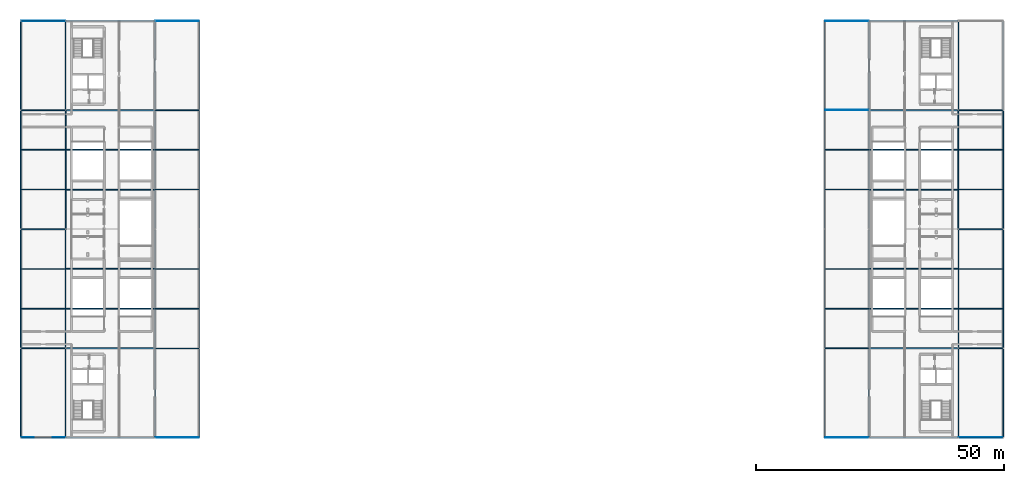
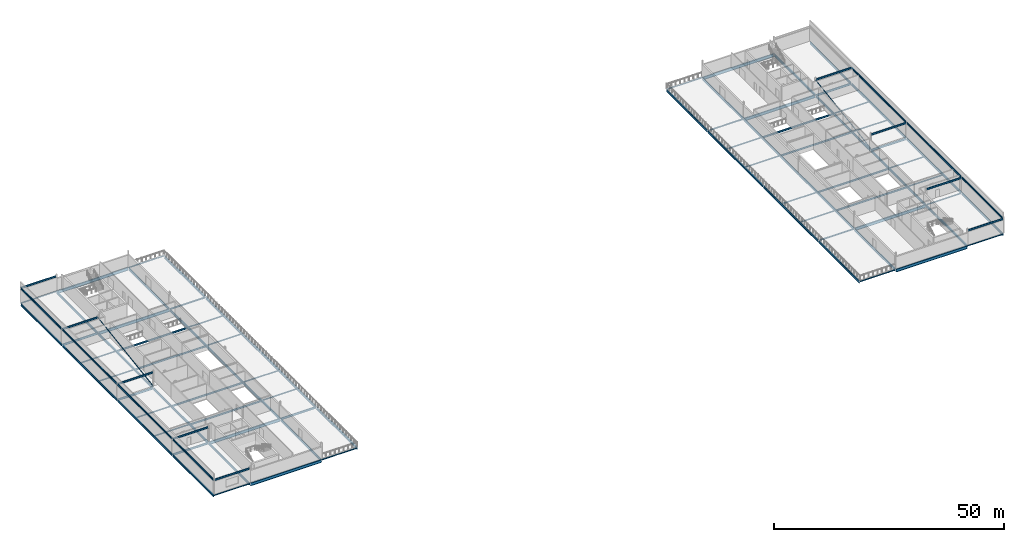
# One storey, part 12 of 23: 97 beams, 2 members.
"""IFC4 building model written with IfcOpenShell, lengths in metres."""

import ifcopenshell
import ifcopenshell.guid

model = None  # the IFC model being written
_history = None  # IfcOwnerHistory: only IFC2X3 demands one
_inside = {}  # id of a spatial element -> (the spatial element, [elements in it])
_under = {}  # id of a project, library or spatial element -> (it, [spatial elements below it])
_declared = {}  # id of a project -> (the project, [libraries it declares])
_typed = {}  # id of a type object -> (the type object, [elements of that type])
_made_of = {}  # id of a material, layer set ... -> (it, [elements and type objects made of it])


def new_model(schema):
    """Start an empty IFC model of exactly this schema.

    Asked for "IFC4X3", IfcOpenShell would pick the latest addendum, in which some entities
    have other attributes; the version numbers below select the first issue.
    IFC2X3 requires an IfcOwnerHistory on every rooted entity: one is made here for all.
    """
    global model, _history
    if schema == "IFC4X3":
        model = ifcopenshell.file(schema_version=(4, 3, 0, 0))
    else:
        model = ifcopenshell.file(schema=schema)
    _inside.clear()
    _under.clear()
    _declared.clear()
    _typed.clear()
    _made_of.clear()
    _history = None
    if model.schema == "IFC2X3":
        org = make("IfcOrganization", Name="unknown")
        user = make(
            "IfcPersonAndOrganization",
            ThePerson=make("IfcPerson", FamilyName="unknown"),
            TheOrganization=org,
        )
        app = make(
            "IfcApplication",
            ApplicationDeveloper=org,
            Version="unknown",
            ApplicationFullName="unknown",
            ApplicationIdentifier="unknown",
        )
        _history = make(
            "IfcOwnerHistory",
            OwningUser=user,
            OwningApplication=app,
            ChangeAction="ADDED",
            CreationDate=0,
        )
    return model


def make(cls, **values):
    """One entity of the class cls with the attributes given. An attribute that is None is left unset."""
    return model.create_entity(
        cls, **{name: value for name, value in values.items() if value is not None}
    )


def rooted(cls, **values):
    """An entity with a GlobalId (a new one), such as an element, a storey or a relation."""
    return make(cls, GlobalId=ifcopenshell.guid.new(), OwnerHistory=_history, **values)


def si_unit(unit_type, name, prefix=None):
    """IfcSIUnit, for example si_unit("LENGTHUNIT", "METRE", prefix="MILLI")."""
    return make("IfcSIUnit", UnitType=unit_type, Prefix=prefix, Name=name)


def assignment(units):
    """IfcUnitAssignment: the units of a project."""
    return None if units is None else make("IfcUnitAssignment", Units=units)


def point(xyz):
    """IfcCartesianPoint."""
    return None if xyz is None else make("IfcCartesianPoint", Coordinates=xyz)


def direction(xyz):
    """IfcDirection."""
    return None if xyz is None else make("IfcDirection", DirectionRatios=xyz)


def frame(location, z_axis=None, x_axis=None):
    """IfcAxis2Placement3D, a coordinate frame: its origin and axes. An axis left out is left unset."""
    return make(
        "IfcAxis2Placement3D",
        Location=point(location),
        Axis=direction(z_axis),
        RefDirection=direction(x_axis),
    )


def frame_2d(location, x_axis=None):
    """IfcAxis2Placement2D, a coordinate frame in the plane: its origin and x axis."""
    return make(
        "IfcAxis2Placement2D", Location=point(location), RefDirection=direction(x_axis)
    )


def origin():
    """The frame at (0, 0, 0) with its axes left unset."""
    return frame((0.0, 0.0, 0.0))


def origin_2d():
    """The frame at (0, 0) in the plane with its x axis left unset."""
    return frame_2d((0.0, 0.0))


def place(relative_to, where):
    """IfcLocalPlacement: puts the frame where relative to a parent placement (None: the world)."""
    return make(
        "IfcLocalPlacement", PlacementRelTo=relative_to, RelativePlacement=where
    )


def context(
    kind, dimensions, precision=None, world=None, true_north=None, identifier=None
):
    """IfcGeometricRepresentationContext, for example the 3D "Model" context."""
    return make(
        "IfcGeometricRepresentationContext",
        ContextIdentifier=identifier,
        ContextType=kind,
        CoordinateSpaceDimension=dimensions,
        Precision=precision,
        WorldCoordinateSystem=world,
        TrueNorth=true_north,
    )


def subcontext(parent, identifier, kind, view, scale=None):
    """IfcGeometricRepresentationSubContext, for example "Body" below "Model"."""
    return make(
        "IfcGeometricRepresentationSubContext",
        ContextIdentifier=identifier,
        ContextType=kind,
        ParentContext=parent,
        TargetScale=scale,
        TargetView=view,
    )


def project(units=None, contexts=None):
    """IfcProject with its units and contexts."""
    return rooted(
        "IfcProject",
        Name="project",
        RepresentationContexts=contexts,
        UnitsInContext=assignment(units),
    )


def spatial(cls, under=None, at=None, **own):
    """A site, building, storey or space (cls), placed at a placement, below another one or the project."""
    s = rooted(cls, ObjectPlacement=at, **own)
    if under is not None:
        _under.setdefault(under.id(), (under, []))[1].append(s)
    return s


def profile(cls, at=None, kind="AREA", **sizes):
    """A parametric profile (cls). Its sizes go by their IFC names, for example OverallWidth=200.0."""
    return make(cls, ProfileType=kind, Position=at, **sizes)


def hollow_rectangle(**sizes):
    """IfcRectangleHollowProfileDef."""
    return profile("IfcRectangleHollowProfileDef", **sizes)


def hollow_circle(**sizes):
    """IfcCircleHollowProfileDef."""
    return profile("IfcCircleHollowProfileDef", **sizes)


def i_section(**sizes):
    """IfcIShapeProfileDef."""
    return profile("IfcIShapeProfileDef", **sizes)


def extrude(swept, where, along, depth):
    """IfcExtrudedAreaSolid: the profile swept, set in the frame where, extruded along a direction by depth."""
    return make(
        "IfcExtrudedAreaSolid",
        SweptArea=swept,
        Position=where,
        ExtrudedDirection=direction(along),
        Depth=depth,
    )


def shape(context_of_items, identifier, shape_type, items):
    """IfcShapeRepresentation: the items that make up one representation, for example the "Body"."""
    return make(
        "IfcShapeRepresentation",
        ContextOfItems=context_of_items,
        RepresentationIdentifier=identifier,
        RepresentationType=shape_type,
        Items=items,
    )


def material(Name=None, Category=None):
    """IfcMaterial."""
    return make("IfcMaterial", Name=Name, Category=Category)


def material_profile(
    of_material, cross_section, Name=None, Category=None, Priority=None
):
    """IfcMaterialProfile: a cross section and its material."""
    return make(
        "IfcMaterialProfile",
        Name=Name,
        Material=of_material,
        Profile=cross_section,
        Priority=Priority,
        Category=Category,
    )


def profile_set(profiles, Name=None, composite=None):
    """IfcMaterialProfileSet."""
    return make(
        "IfcMaterialProfileSet",
        Name=Name,
        MaterialProfiles=profiles,
        CompositeProfile=composite,
    )


def made_of(thing, what):
    """Note that an element or type object is made of a material, layer set ...; save() writes the relation."""
    if what is not None:
        _made_of.setdefault(what.id(), (what, []))[1].append(thing)
    return thing


def type_object(cls, material=None, **own):
    """A type object (cls), such as IfcWallType, which elements share."""
    return made_of(rooted(cls, **own), material)


def element(
    cls,
    number,
    at=None,
    inside=None,
    cuts=None,
    type_object=None,
    material=None,
    context=None,
    identifier="Body",
    shape_type=None,
    held_by="IfcProductDefinitionShape",
    body=None,
    shapes=None,
    **own,
):
    """One element of the class cls, such as IfcWall. Its Tag is "e" and its number.

    at: its placement. inside: the storey or other place that contains it. cuts: it is an
    opening in that element (IfcRelVoidsElement). A single representation is given by context,
    identifier, shape_type and body (its items); several are given by shapes. held_by: the class
    of the entity that holds the representations. save() writes the other relations.
    """
    e = rooted(cls, Tag="e%d" % number, ObjectPlacement=at, **own)
    if body is not None:
        shapes = [shape(context, identifier, shape_type, body)]
    if shapes is not None:
        e.Representation = make(held_by, Representations=shapes)
    if inside is not None:
        _inside.setdefault(inside.id(), (inside, []))[1].append(e)
    if cuts is not None:
        rooted(
            "IfcRelVoidsElement", RelatingBuildingElement=cuts, RelatedOpeningElement=e
        )
    if type_object is not None:
        _typed.setdefault(type_object.id(), (type_object, []))[1].append(e)
    return made_of(e, material)


def aggregate(whole, parts):
    """IfcRelAggregates: a whole, such as a stair, and the parts it consists of."""
    return rooted("IfcRelAggregates", RelatingObject=whole, RelatedObjects=parts)


def save(model, path):
    """Write the relations noted so far, then the file.

    IfcRelAggregates (storeys below a building ...), IfcRelContainedInSpatialStructure (elements
    in a storey), IfcRelDefinesByType, IfcRelAssociatesMaterial and IfcRelDeclares: one each for
    every whole, place, type object, material and project.
    """
    for whole, parts in _under.values():
        aggregate(whole, parts)
    for where, things in _inside.values():
        rooted(
            "IfcRelContainedInSpatialStructure",
            RelatedElements=things,
            RelatingStructure=where,
        )
    for kind, things in _typed.values():
        rooted("IfcRelDefinesByType", RelatedObjects=things, RelatingType=kind)
    for what, things in _made_of.values():
        rooted("IfcRelAssociatesMaterial", RelatedObjects=things, RelatingMaterial=what)
    for by, libraries in _declared.values():
        rooted("IfcRelDeclares", RelatingContext=by, RelatedDefinitions=libraries)
    model.write(path)


model = new_model("IFC4")

# Units and contexts
model_context = context("Model", 3, precision=1e-05, world=origin(), true_north=direction((0.0, 1.0)))
body_context = subcontext(model_context, "Body", "Model", "MODEL_VIEW")
ifc_project = project(units=[si_unit("LENGTHUNIT", "METRE"), si_unit("AREAUNIT", "SQUARE_METRE"), si_unit("VOLUMEUNIT", "CUBIC_METRE"), si_unit("PLANEANGLEUNIT", "RADIAN"), si_unit("MASSUNIT", "GRAM", prefix="KILO")], contexts=[model_context])

# Site, building, storey
site_placement = place(None, origin())
site = spatial("IfcSite", under=ifc_project, at=site_placement, CompositionType="ELEMENT")
building_placement = place(site_placement, origin())
building = spatial("IfcBuilding", under=site, at=building_placement, Name="Kisiwana Market Hall", CompositionType="ELEMENT")
storey_placement = place(building_placement, frame((0.0, 0.0, 65.699951171875)))
storey = spatial("IfcBuildingStorey", under=building, at=storey_placement, Name="L15", CompositionType="ELEMENT", Elevation=65.699951171875)

# Beams
ifc_material_1 = material(Name="Steel S355", Category="steel")
ifc_material_profile_1 = material_profile(ifc_material_1, i_section(OverallWidth=0.179931640625, OverallDepth=0.39990234375, WebThickness=0.008544921875, FlangeThickness=0.013427734375, FilletRadius=0.02099609375, at=origin_2d()), Name="IPE 400")
ifc_profile_set_1 = profile_set([ifc_material_profile_1], Name="Steel S355")
beam_type_1 = type_object("IfcBeamType", Name="BM-GIRD-IPE400", PredefinedType="BEAM", material=ifc_profile_set_1)
beam_1_placement = place(storey_placement, frame((27.098876953125, 84.0, -0.4580078125), z_axis=(1.0, 0.0, 0.0), x_axis=(0.0, 1.0, 0.0)))
element("IfcBeam", 1, at=beam_1_placement, inside=storey, type_object=beam_type_1, Name="Floor beam B-2858", PredefinedType="BEAM", context=body_context, shape_type="SweptSolid", body=[
    extrude(i_section(OverallWidth=0.179931640625, OverallDepth=0.39990234375, WebThickness=0.008544921875, FlangeThickness=0.013427734375, FilletRadius=0.02099609375, at=origin_2d()), origin(), (0.0, 0.0, 1.0), 8.80224609375),
])
ifc_material_2 = material(Name="Steel S355", Category="steel")
ifc_material_profile_2 = material_profile(ifc_material_2, i_section(OverallWidth=0.2099609375, OverallDepth=0.550048828125, WebThickness=0.010986328125, FlangeThickness=0.01708984375, FilletRadius=0.02392578125, at=origin_2d()), Name="IPE 550")
ifc_profile_set_2 = profile_set([ifc_material_profile_2], Name="Steel S355")
beam_type_2 = type_object("IfcBeamType", Name="BM-GIRD-IPE550", PredefinedType="BEAM", material=ifc_profile_set_2)
beam_2_placement = place(storey_placement, frame((0.098876953125, 84.0, -0.52001953125), z_axis=(1.0, 0.0, 0.0), x_axis=(0.0, 1.0, 0.0)))
element("IfcBeam", 2, at=beam_2_placement, inside=storey, type_object=beam_type_2, Name="Floor beam B-2856", PredefinedType="BEAM", context=body_context, shape_type="SweptSolid", body=[
    extrude(i_section(OverallWidth=0.2099609375, OverallDepth=0.550048828125, WebThickness=0.010986328125, FlangeThickness=0.01708984375, FilletRadius=0.02392578125, at=origin_2d()), origin(), (0.0, 0.0, 1.0), 8.80224609375),
])
ifc_material_3 = material(Name="Steel S355", Category="steel")
ifc_material_profile_3 = material_profile(ifc_material_3, i_section(OverallWidth=0.210693359375, OverallDepth=0.53955078125, WebThickness=0.01171875, FlangeThickness=0.018798828125, FilletRadius=0.0126953125, at=origin_2d()), Name="UB 533x210x109")
ifc_profile_set_3 = profile_set([ifc_material_profile_3], Name="Steel S355")
beam_type_3 = type_object("IfcBeamType", Name="BM-GIRD-UB109", PredefinedType="BEAM", material=ifc_profile_set_3)
beam_3_placement = place(storey_placement, frame((27.098876953125, 36.0, -0.527587890625), z_axis=(1.0, 0.0, 0.0), x_axis=(0.0, 1.0, 0.0)))
element("IfcBeam", 3, at=beam_3_placement, inside=storey, type_object=beam_type_3, Name="Floor beam B-2852", PredefinedType="BEAM", context=body_context, shape_type="SweptSolid", body=[
    extrude(i_section(OverallWidth=0.210693359375, OverallDepth=0.53955078125, WebThickness=0.01171875, FlangeThickness=0.018798828125, FilletRadius=0.0126953125, at=origin_2d()), origin(), (0.0, 0.0, 1.0), 8.80224609375),
])
ifc_material_4 = material(Name="Steel S355", Category="steel")
ifc_material_profile_4 = material_profile(ifc_material_4, i_section(OverallWidth=0.19140625, OverallDepth=0.4599609375, WebThickness=0.010009765625, FlangeThickness=0.01611328125, at=origin_2d()), Name="UB 457x191x82")
ifc_profile_set_4 = profile_set([ifc_material_profile_4], Name="Steel S355")
beam_type_4 = type_object("IfcBeamType", Name="BM-GIRD-UB457H", PredefinedType="BEAM", material=ifc_profile_set_4)
for number, where, z_axis, x_axis, name in (
    (4, (0.098876953125, 18.0, 3.677978515625), (1.0, 0.0, 0.0), (0.0, 1.0, 0.0), "Roof girder B-2884"),
    (5, (0.098876953125, 36.0, 3.677978515625), (1.0, 0.0, 0.0), (0.0, 1.0, 0.0), "Roof girder B-2885"),
    (6, (0.098876953125, 84.0, 3.677978515625), (1.0, 0.0, 0.0), (0.0, 1.0, 0.0), "Roof girder B-2886"),
    (7, (0.098876953125, 102.0, 3.677978515625), (1.0, 0.0, 0.0), (0.0, 1.0, 0.0), "Roof girder B-2887"),
):
    element("IfcBeam", number, at=place(storey_placement, frame(where, z_axis=z_axis, x_axis=x_axis)), inside=storey, type_object=beam_type_4, Name=name, PredefinedType="BEAM", context=body_context, shape_type="SweptSolid", body=[
        extrude(i_section(OverallWidth=0.19140625, OverallDepth=0.4599609375, WebThickness=0.010009765625, FlangeThickness=0.01611328125, at=origin_2d()), origin(), (0.0, 0.0, 1.0), 8.80224609375),
    ])
beam_4_placement = place(storey_placement, frame((0.0, 18.100830078125, 3.677978515625), z_axis=(0.0, 1.0, 0.0), x_axis=(-1.0, 0.0, 0.0)))
element("IfcBeam", 8, at=beam_4_placement, inside=storey, type_object=beam_type_4, Name="Roof girder B-2888", PredefinedType="BEAM", context=body_context, shape_type="SweptSolid", body=[
    extrude(i_section(OverallWidth=0.19140625, OverallDepth=0.4599609375, WebThickness=0.010009765625, FlangeThickness=0.01611328125, at=origin_2d()), origin(), (0.0, 0.0, 1.0), 17.79833984375),
])
for number, where, z_axis, x_axis, name in (
    (9, (0.0, 36.100830078125, 3.677978515625), (0.0, 1.0, 0.0), (-1.0, 0.0, 0.0), "Roof girder B-2889"),
    (10, (0.0, 60.100830078125, 3.677978515625), (0.0, 1.0, 0.0), (-1.0, 0.0, 0.0), "Roof girder B-2890"),
):
    element("IfcBeam", number, at=place(storey_placement, frame(where, z_axis=z_axis, x_axis=x_axis)), inside=storey, type_object=beam_type_4, Name=name, PredefinedType="BEAM", context=body_context, shape_type="SweptSolid", body=[
        extrude(i_section(OverallWidth=0.19140625, OverallDepth=0.4599609375, WebThickness=0.010009765625, FlangeThickness=0.01611328125, at=origin_2d()), origin(), (0.0, 0.0, 1.0), 23.79833984375),
    ])
beam_5_placement = place(storey_placement, frame((0.0, 84.100830078125, 3.677978515625), z_axis=(0.0, 1.0, 0.0), x_axis=(-1.0, 0.0, 0.0)))
element("IfcBeam", 11, at=beam_5_placement, inside=storey, type_object=beam_type_4, Name="Roof girder B-2891", PredefinedType="BEAM", context=body_context, shape_type="SweptSolid", body=[
    extrude(i_section(OverallWidth=0.19140625, OverallDepth=0.4599609375, WebThickness=0.010009765625, FlangeThickness=0.01611328125, at=origin_2d()), origin(), (0.0, 0.0, 1.0), 17.79833984375),
])
for number, where, z_axis, x_axis, name in (
    (12, (0.098876953125, 60.0, 3.677978515625), (1.0, 0.0, 0.0), (0.0, 1.0, 0.0), "Roof girder B-2842"),
    (13, (189.098876953125, 18.0, 3.677978515625), (1.0, 0.0, 0.0), (0.0, 1.0, 0.0), "Roof girder B-2892"),
    (14, (189.098876953125, 36.0, 3.677978515625), (1.0, 0.0, 0.0), (0.0, 1.0, 0.0), "Roof girder B-2893"),
    (15, (189.098876953125, 84.0, 3.677978515625), (1.0, 0.0, 0.0), (0.0, 1.0, 0.0), "Roof girder B-2894"),
):
    element("IfcBeam", number, at=place(storey_placement, frame(where, z_axis=z_axis, x_axis=x_axis)), inside=storey, type_object=beam_type_4, Name=name, PredefinedType="BEAM", context=body_context, shape_type="SweptSolid", body=[
        extrude(i_section(OverallWidth=0.19140625, OverallDepth=0.4599609375, WebThickness=0.010009765625, FlangeThickness=0.01611328125, at=origin_2d()), origin(), (0.0, 0.0, 1.0), 8.80224609375),
    ])
beam_6_placement = place(storey_placement, frame((198.0, 18.100830078125, 3.677978515625), z_axis=(0.0, 1.0, 0.0), x_axis=(-1.0, 0.0, 0.0)))
element("IfcBeam", 16, at=beam_6_placement, inside=storey, type_object=beam_type_4, Name="Roof girder B-2896", PredefinedType="BEAM", context=body_context, shape_type="SweptSolid", body=[
    extrude(i_section(OverallWidth=0.19140625, OverallDepth=0.4599609375, WebThickness=0.010009765625, FlangeThickness=0.01611328125, at=origin_2d()), origin(), (0.0, 0.0, 1.0), 17.79833984375),
])
for number, where, z_axis, x_axis, name in (
    (17, (198.0, 36.100830078125, 3.677978515625), (0.0, 1.0, 0.0), (-1.0, 0.0, 0.0), "Roof girder B-2897"),
    (18, (198.0, 60.100830078125, 3.677978515625), (0.0, 1.0, 0.0), (-1.0, 0.0, 0.0), "Roof girder B-2898"),
):
    element("IfcBeam", number, at=place(storey_placement, frame(where, z_axis=z_axis, x_axis=x_axis)), inside=storey, type_object=beam_type_4, Name=name, PredefinedType="BEAM", context=body_context, shape_type="SweptSolid", body=[
        extrude(i_section(OverallWidth=0.19140625, OverallDepth=0.4599609375, WebThickness=0.010009765625, FlangeThickness=0.01611328125, at=origin_2d()), origin(), (0.0, 0.0, 1.0), 23.79833984375),
    ])
beam_7_placement = place(storey_placement, frame((189.098876953125, 60.0, 3.677978515625), z_axis=(1.0, 0.0, 0.0), x_axis=(0.0, 1.0, 0.0)))
element("IfcBeam", 19, at=beam_7_placement, inside=storey, type_object=beam_type_4, Name="Roof girder B-2843", PredefinedType="BEAM", context=body_context, shape_type="SweptSolid", body=[
    extrude(i_section(OverallWidth=0.19140625, OverallDepth=0.4599609375, WebThickness=0.010009765625, FlangeThickness=0.01611328125, at=origin_2d()), origin(), (0.0, 0.0, 1.0), 8.80224609375),
])
ifc_material_5 = material(Name="Steel S355", Category="steel")
ifc_material_profile_5 = material_profile(ifc_material_5, i_section(OverallWidth=0.209228515625, OverallDepth=0.533203125, WebThickness=0.010009765625, FlangeThickness=0.015625, at=origin_2d()), Name="UB 533x210x92")
ifc_profile_set_5 = profile_set([ifc_material_profile_5], Name="Steel S355")
beam_type_5 = type_object("IfcBeamType", Name="BM-GIRD-UB533", PredefinedType="BEAM", material=ifc_profile_set_5)
for number, where, z_axis, x_axis, name in (
    (20, (0.098876953125, 36.0, -0.511474609375), (1.0, 0.0, 0.0), (0.0, 1.0, 0.0), "Floor beam B-2850"),
    (21, (189.098876953125, 84.0, -0.511474609375), (1.0, 0.0, 0.0), (0.0, 1.0, 0.0), "Floor beam B-2861"),
    (22, (0.098876953125, 60.0, -0.511474609375), (1.0, 0.0, 0.0), (0.0, 1.0, 0.0), "Primary girder B-2800"),
    (23, (189.098876953125, 60.0, -0.511474609375), (1.0, 0.0, 0.0), (0.0, 1.0, 0.0), "Primary girder B-2801"),
):
    element("IfcBeam", number, at=place(storey_placement, frame(where, z_axis=z_axis, x_axis=x_axis)), inside=storey, type_object=beam_type_5, Name=name, PredefinedType="BEAM", context=body_context, shape_type="SweptSolid", body=[
        extrude(i_section(OverallWidth=0.209228515625, OverallDepth=0.533203125, WebThickness=0.010009765625, FlangeThickness=0.015625, at=origin_2d()), origin(), (0.0, 0.0, 1.0), 8.80224609375),
    ])
ifc_material_6 = material(Name="Steel S355", Category="steel")
ifc_material_profile_6 = material_profile(ifc_material_6, i_section(OverallWidth=0.22900390625, OverallDepth=0.6123046875, WebThickness=0.011962890625, FlangeThickness=0.01953125, at=origin_2d()), Name="UB 610x229x125")
ifc_profile_set_6 = profile_set([ifc_material_profile_6], Name="Steel S355")
beam_type_6 = type_object("IfcBeamType", Name="BM-GIRD-UB610H", PredefinedType="BEAM", material=ifc_profile_set_6)
beam_8_placement = place(storey_placement, frame((0.0, 18.100830078125, -0.551025390625), z_axis=(0.0, 1.0, 0.0), x_axis=(-1.0, 0.0, 0.0)))
element("IfcBeam", 24, at=beam_8_placement, inside=storey, type_object=beam_type_6, Name="Floor beam B-2868", PredefinedType="BEAM", context=body_context, shape_type="SweptSolid", body=[
    extrude(i_section(OverallWidth=0.22900390625, OverallDepth=0.6123046875, WebThickness=0.011962890625, FlangeThickness=0.01953125, at=origin_2d()), origin(), (0.0, 0.0, 1.0), 17.79833984375),
])
for number, where, z_axis, x_axis, name in (
    (25, (0.0, 36.100830078125, -0.551025390625), (0.0, 1.0, 0.0), (-1.0, 0.0, 0.0), "Floor beam B-2869"),
    (26, (0.0, 60.100830078125, -0.551025390625), (0.0, 1.0, 0.0), (-1.0, 0.0, 0.0), "Floor beam B-2870"),
):
    element("IfcBeam", number, at=place(storey_placement, frame(where, z_axis=z_axis, x_axis=x_axis)), inside=storey, type_object=beam_type_6, Name=name, PredefinedType="BEAM", context=body_context, shape_type="SweptSolid", body=[
        extrude(i_section(OverallWidth=0.22900390625, OverallDepth=0.6123046875, WebThickness=0.011962890625, FlangeThickness=0.01953125, at=origin_2d()), origin(), (0.0, 0.0, 1.0), 23.79833984375),
    ])
beam_9_placement = place(storey_placement, frame((0.0, 84.100830078125, -0.551025390625), z_axis=(0.0, 1.0, 0.0), x_axis=(-1.0, 0.0, 0.0)))
element("IfcBeam", 27, at=beam_9_placement, inside=storey, type_object=beam_type_6, Name="Floor beam B-2871", PredefinedType="BEAM", context=body_context, shape_type="SweptSolid", body=[
    extrude(i_section(OverallWidth=0.22900390625, OverallDepth=0.6123046875, WebThickness=0.011962890625, FlangeThickness=0.01953125, at=origin_2d()), origin(), (0.0, 0.0, 1.0), 17.79833984375),
])
for number, where, z_axis, x_axis, name in (
    (28, (27.0, 36.100830078125, -0.56396484375), (0.0, 1.0, 0.0), (-1.0, 0.0, 0.0), "Floor beam B-2872"),
    (29, (27.0, 60.100830078125, -0.56396484375), (0.0, 1.0, 0.0), (-1.0, 0.0, 0.0), "Floor beam B-2873"),
):
    element("IfcBeam", number, at=place(storey_placement, frame(where, z_axis=z_axis, x_axis=x_axis)), inside=storey, type_object=beam_type_6, Name=name, PredefinedType="BEAM", context=body_context, shape_type="SweptSolid", body=[
        extrude(i_section(OverallWidth=0.22900390625, OverallDepth=0.6123046875, WebThickness=0.011962890625, FlangeThickness=0.01953125, at=origin_2d()), origin(), (0.0, 0.0, 1.0), 23.79833984375),
    ])
for number, where, z_axis, x_axis, name in (
    (30, (36.0, 18.100830078125, -0.56396484375), (0.0, 1.0, 0.0), (-1.0, 0.0, 0.0), "Floor beam B-2874"),
    (31, (36.0, 84.100830078125, -0.56396484375), (0.0, 1.0, 0.0), (-1.0, 0.0, 0.0), "Floor beam B-2875"),
    (32, (162.0, 18.100830078125, -0.56396484375), (0.0, 1.0, 0.0), (-1.0, 0.0, 0.0), "Floor beam B-2876"),
    (33, (162.0, 84.100830078125, -0.56396484375), (0.0, 1.0, 0.0), (-1.0, 0.0, 0.0), "Floor beam B-2877"),
):
    element("IfcBeam", number, at=place(storey_placement, frame(where, z_axis=z_axis, x_axis=x_axis)), inside=storey, type_object=beam_type_6, Name=name, PredefinedType="BEAM", context=body_context, shape_type="SweptSolid", body=[
        extrude(i_section(OverallWidth=0.22900390625, OverallDepth=0.6123046875, WebThickness=0.011962890625, FlangeThickness=0.01953125, at=origin_2d()), origin(), (0.0, 0.0, 1.0), 17.79833984375),
    ])
for number, where, z_axis, x_axis, name in (
    (34, (171.0, 36.100830078125, -0.56396484375), (0.0, 1.0, 0.0), (-1.0, 0.0, 0.0), "Floor beam B-2878"),
    (35, (171.0, 60.100830078125, -0.56396484375), (0.0, 1.0, 0.0), (-1.0, 0.0, 0.0), "Floor beam B-2879"),
):
    element("IfcBeam", number, at=place(storey_placement, frame(where, z_axis=z_axis, x_axis=x_axis)), inside=storey, type_object=beam_type_6, Name=name, PredefinedType="BEAM", context=body_context, shape_type="SweptSolid", body=[
        extrude(i_section(OverallWidth=0.22900390625, OverallDepth=0.6123046875, WebThickness=0.011962890625, FlangeThickness=0.01953125, at=origin_2d()), origin(), (0.0, 0.0, 1.0), 23.79833984375),
    ])
beam_10_placement = place(storey_placement, frame((198.0, 18.100830078125, -0.551025390625), z_axis=(0.0, 1.0, 0.0), x_axis=(-1.0, 0.0, 0.0)))
element("IfcBeam", 36, at=beam_10_placement, inside=storey, type_object=beam_type_6, Name="Floor beam B-2880", PredefinedType="BEAM", context=body_context, shape_type="SweptSolid", body=[
    extrude(i_section(OverallWidth=0.22900390625, OverallDepth=0.6123046875, WebThickness=0.011962890625, FlangeThickness=0.01953125, at=origin_2d()), origin(), (0.0, 0.0, 1.0), 17.79833984375),
])
for number, where, z_axis, x_axis, name in (
    (37, (198.0, 36.100830078125, -0.551025390625), (0.0, 1.0, 0.0), (-1.0, 0.0, 0.0), "Floor beam B-2881"),
    (38, (198.0, 60.100830078125, -0.551025390625), (0.0, 1.0, 0.0), (-1.0, 0.0, 0.0), "Floor beam B-2882"),
):
    element("IfcBeam", number, at=place(storey_placement, frame(where, z_axis=z_axis, x_axis=x_axis)), inside=storey, type_object=beam_type_6, Name=name, PredefinedType="BEAM", context=body_context, shape_type="SweptSolid", body=[
        extrude(i_section(OverallWidth=0.22900390625, OverallDepth=0.6123046875, WebThickness=0.011962890625, FlangeThickness=0.01953125, at=origin_2d()), origin(), (0.0, 0.0, 1.0), 23.79833984375),
    ])
for number, where, z_axis, x_axis, name in (
    (39, (198.0, 84.100830078125, -0.551025390625), (0.0, 1.0, 0.0), (-1.0, 0.0, 0.0), "Floor beam B-2883"),
    (40, (9.0, 18.100830078125, -0.551025390625), (0.0, 1.0, 0.0), (-1.0, 0.0, 0.0), "Primary girder B-2802"),
):
    element("IfcBeam", number, at=place(storey_placement, frame(where, z_axis=z_axis, x_axis=x_axis)), inside=storey, type_object=beam_type_6, Name=name, PredefinedType="BEAM", context=body_context, shape_type="SweptSolid", body=[
        extrude(i_section(OverallWidth=0.22900390625, OverallDepth=0.6123046875, WebThickness=0.011962890625, FlangeThickness=0.01953125, at=origin_2d()), origin(), (0.0, 0.0, 1.0), 17.79833984375),
    ])
for number, where, z_axis, x_axis, name in (
    (41, (9.0, 36.100830078125, -0.551025390625), (0.0, 1.0, 0.0), (-1.0, 0.0, 0.0), "Primary girder B-2803"),
    (42, (9.0, 60.100830078125, -0.551025390625), (0.0, 1.0, 0.0), (-1.0, 0.0, 0.0), "Primary girder B-2804"),
):
    element("IfcBeam", number, at=place(storey_placement, frame(where, z_axis=z_axis, x_axis=x_axis)), inside=storey, type_object=beam_type_6, Name=name, PredefinedType="BEAM", context=body_context, shape_type="SweptSolid", body=[
        extrude(i_section(OverallWidth=0.22900390625, OverallDepth=0.6123046875, WebThickness=0.011962890625, FlangeThickness=0.01953125, at=origin_2d()), origin(), (0.0, 0.0, 1.0), 23.79833984375),
    ])
for number, where, z_axis, x_axis, name in (
    (43, (9.0, 84.100830078125, -0.551025390625), (0.0, 1.0, 0.0), (-1.0, 0.0, 0.0), "Primary girder B-2805"),
    (44, (27.0, 18.100830078125, -0.56396484375), (0.0, 1.0, 0.0), (-1.0, 0.0, 0.0), "Primary girder B-2806"),
    (45, (27.0, 84.100830078125, -0.56396484375), (0.0, 1.0, 0.0), (-1.0, 0.0, 0.0), "Primary girder B-2807"),
):
    element("IfcBeam", number, at=place(storey_placement, frame(where, z_axis=z_axis, x_axis=x_axis)), inside=storey, type_object=beam_type_6, Name=name, PredefinedType="BEAM", context=body_context, shape_type="SweptSolid", body=[
        extrude(i_section(OverallWidth=0.22900390625, OverallDepth=0.6123046875, WebThickness=0.011962890625, FlangeThickness=0.01953125, at=origin_2d()), origin(), (0.0, 0.0, 1.0), 17.79833984375),
    ])
for number, where, z_axis, x_axis, name in (
    (46, (36.0, 36.100830078125, -0.56396484375), (0.0, 1.0, 0.0), (-1.0, 0.0, 0.0), "Primary girder B-2808"),
    (47, (36.0, 60.100830078125, -0.56396484375), (0.0, 1.0, 0.0), (-1.0, 0.0, 0.0), "Primary girder B-2809"),
    (48, (162.0, 36.100830078125, -0.56396484375), (0.0, 1.0, 0.0), (-1.0, 0.0, 0.0), "Primary girder B-2810"),
    (49, (162.0, 60.100830078125, -0.56396484375), (0.0, 1.0, 0.0), (-1.0, 0.0, 0.0), "Primary girder B-2811"),
):
    element("IfcBeam", number, at=place(storey_placement, frame(where, z_axis=z_axis, x_axis=x_axis)), inside=storey, type_object=beam_type_6, Name=name, PredefinedType="BEAM", context=body_context, shape_type="SweptSolid", body=[
        extrude(i_section(OverallWidth=0.22900390625, OverallDepth=0.6123046875, WebThickness=0.011962890625, FlangeThickness=0.01953125, at=origin_2d()), origin(), (0.0, 0.0, 1.0), 23.79833984375),
    ])
for number, where, z_axis, x_axis, name in (
    (50, (171.0, 18.100830078125, -0.56396484375), (0.0, 1.0, 0.0), (-1.0, 0.0, 0.0), "Primary girder B-2812"),
    (51, (171.0, 84.100830078125, -0.56396484375), (0.0, 1.0, 0.0), (-1.0, 0.0, 0.0), "Primary girder B-2813"),
    (52, (189.0, 18.100830078125, -0.551025390625), (0.0, 1.0, 0.0), (-1.0, 0.0, 0.0), "Primary girder B-2814"),
):
    element("IfcBeam", number, at=place(storey_placement, frame(where, z_axis=z_axis, x_axis=x_axis)), inside=storey, type_object=beam_type_6, Name=name, PredefinedType="BEAM", context=body_context, shape_type="SweptSolid", body=[
        extrude(i_section(OverallWidth=0.22900390625, OverallDepth=0.6123046875, WebThickness=0.011962890625, FlangeThickness=0.01953125, at=origin_2d()), origin(), (0.0, 0.0, 1.0), 17.79833984375),
    ])
for number, where, z_axis, x_axis, name in (
    (53, (189.0, 36.100830078125, -0.551025390625), (0.0, 1.0, 0.0), (-1.0, 0.0, 0.0), "Primary girder B-2815"),
    (54, (189.0, 60.100830078125, -0.551025390625), (0.0, 1.0, 0.0), (-1.0, 0.0, 0.0), "Primary girder B-2816"),
):
    element("IfcBeam", number, at=place(storey_placement, frame(where, z_axis=z_axis, x_axis=x_axis)), inside=storey, type_object=beam_type_6, Name=name, PredefinedType="BEAM", context=body_context, shape_type="SweptSolid", body=[
        extrude(i_section(OverallWidth=0.22900390625, OverallDepth=0.6123046875, WebThickness=0.011962890625, FlangeThickness=0.01953125, at=origin_2d()), origin(), (0.0, 0.0, 1.0), 23.79833984375),
    ])
beam_11_placement = place(storey_placement, frame((189.0, 84.100830078125, -0.551025390625), z_axis=(0.0, 1.0, 0.0), x_axis=(-1.0, 0.0, 0.0)))
element("IfcBeam", 55, at=beam_11_placement, inside=storey, type_object=beam_type_6, Name="Primary girder B-2817", PredefinedType="BEAM", context=body_context, shape_type="SweptSolid", body=[
    extrude(i_section(OverallWidth=0.22900390625, OverallDepth=0.6123046875, WebThickness=0.011962890625, FlangeThickness=0.01953125, at=origin_2d()), origin(), (0.0, 0.0, 1.0), 17.79833984375),
])
ifc_material_7 = material(Name="Steel S355", Category="steel")
ifc_material_profile_7 = material_profile(ifc_material_7, i_section(OverallWidth=0.2666015625, OverallDepth=0.76220703125, WebThickness=0.014404296875, FlangeThickness=0.021484375, at=origin_2d()), Name="UB 762x267x173")
ifc_profile_set_7 = profile_set([ifc_material_profile_7], Name="Steel S355")
beam_type_7 = type_object("IfcBeamType", Name="BM-GIRD-UB762", PredefinedType="BEAM", material=ifc_profile_set_7)
for number, where, z_axis, x_axis, name in (
    (56, (9.098876953125, 18.0, -0.63916015625), (1.0, 0.0, 0.0), (0.0, 1.0, 0.0), "Floor beam B-2845"),
    (57, (171.098876953125, 18.0, -0.63916015625), (1.0, 0.0, 0.0), (0.0, 1.0, 0.0), "Floor beam B-2848"),
    (58, (9.098876953125, 36.0, -0.63916015625), (1.0, 0.0, 0.0), (0.0, 1.0, 0.0), "Floor beam B-2851"),
    (59, (171.098876953125, 36.0, -0.63916015625), (1.0, 0.0, 0.0), (0.0, 1.0, 0.0), "Floor beam B-2854"),
    (60, (9.098876953125, 84.0, -0.63916015625), (1.0, 0.0, 0.0), (0.0, 1.0, 0.0), "Floor beam B-2857"),
    (61, (171.098876953125, 84.0, -0.63916015625), (1.0, 0.0, 0.0), (0.0, 1.0, 0.0), "Floor beam B-2860"),
    (62, (9.098876953125, 102.0, -0.63916015625), (1.0, 0.0, 0.0), (0.0, 1.0, 0.0), "Floor beam B-2863"),
    (63, (171.098876953125, 102.0, -0.63916015625), (1.0, 0.0, 0.0), (0.0, 1.0, 0.0), "Floor beam B-2866"),
):
    element("IfcBeam", number, at=place(storey_placement, frame(where, z_axis=z_axis, x_axis=x_axis)), inside=storey, type_object=beam_type_7, Name=name, PredefinedType="BEAM", context=body_context, shape_type="SweptSolid", body=[
        extrude(i_section(OverallWidth=0.2666015625, OverallDepth=0.76220703125, WebThickness=0.014404296875, FlangeThickness=0.021484375, at=origin_2d()), origin(), (0.0, 0.0, 1.0), 17.80224609375),
    ])
ifc_material_8 = material(Name="Steel S355", Category="steel")
ifc_material_profile_8 = material_profile(ifc_material_8, i_section(OverallWidth=0.102294921875, OverallDepth=0.260498046875, WebThickness=0.00634765625, FlangeThickness=0.010009765625, FilletRadius=0.007568359375, at=origin_2d()), Name="UB 254x102x28")
ifc_profile_set_8 = profile_set([ifc_material_profile_8], Name="Steel S355")
beam_type_8 = type_object("IfcBeamType", Name="BM-JOIST-UB028", PredefinedType="JOIST", material=ifc_profile_set_8)
beam_12_placement = place(storey_placement, frame((162.098876953125, 84.0, -0.38818359375), z_axis=(1.0, 0.0, 0.0), x_axis=(0.0, 1.0, 0.0)))
element("IfcBeam", 64, at=beam_12_placement, inside=storey, type_object=beam_type_8, Name="Floor beam B-2859", PredefinedType="JOIST", context=body_context, shape_type="SweptSolid", body=[
    extrude(i_section(OverallWidth=0.102294921875, OverallDepth=0.260498046875, WebThickness=0.00634765625, FlangeThickness=0.010009765625, FilletRadius=0.007568359375, at=origin_2d()), origin(), (0.0, 0.0, 1.0), 8.80224609375),
])
ifc_material_9 = material(Name="Steel S355", Category="steel")
ifc_material_profile_9 = material_profile(ifc_material_9, i_section(OverallWidth=0.1650390625, OverallDepth=0.303466796875, WebThickness=0.006103515625, FlangeThickness=0.01025390625, at=origin_2d()), Name="UB 305x165x40")
ifc_profile_set_9 = profile_set([ifc_material_profile_9], Name="Steel S355")
beam_type_9 = type_object("IfcBeamType", Name="BM-JOIST-UB040", PredefinedType="JOIST", material=ifc_profile_set_9)
beam_13_placement = place(storey_placement, frame((189.098876953125, 36.0, -0.396728515625), z_axis=(1.0, 0.0, 0.0), x_axis=(0.0, 1.0, 0.0)))
element("IfcBeam", 65, at=beam_13_placement, inside=storey, type_object=beam_type_9, Name="Floor beam B-2855", PredefinedType="JOIST", context=body_context, shape_type="SweptSolid", body=[
    extrude(i_section(OverallWidth=0.1650390625, OverallDepth=0.303466796875, WebThickness=0.006103515625, FlangeThickness=0.01025390625, at=origin_2d()), origin(), (0.0, 0.0, 1.0), 8.80224609375),
])
ifc_material_10 = material(Name="Steel S355", Category="steel")
ifc_material_profile_10 = material_profile(ifc_material_10, i_section(OverallWidth=0.1708984375, OverallDepth=0.351318359375, WebThickness=0.007080078125, FlangeThickness=0.009765625, FilletRadius=0.01025390625, at=origin_2d()), Name="UB 356x171x45")
ifc_profile_set_10 = profile_set([ifc_material_profile_10], Name="Steel S355")
beam_type_10 = type_object("IfcBeamType", Name="BM-JOIST-UB045", PredefinedType="JOIST", material=ifc_profile_set_10)
beam_14_placement = place(storey_placement, frame((162.098876953125, 36.0, -0.43359375), z_axis=(1.0, 0.0, 0.0), x_axis=(0.0, 1.0, 0.0)))
element("IfcBeam", 66, at=beam_14_placement, inside=storey, type_object=beam_type_10, Name="Floor beam B-2853", PredefinedType="JOIST", context=body_context, shape_type="SweptSolid", body=[
    extrude(i_section(OverallWidth=0.1708984375, OverallDepth=0.351318359375, WebThickness=0.007080078125, FlangeThickness=0.009765625, FilletRadius=0.01025390625, at=origin_2d()), origin(), (0.0, 0.0, 1.0), 8.80224609375),
])
ifc_material_11 = material(Name="Steel S355", Category="steel")
ifc_material_profile_11 = material_profile(ifc_material_11, i_section(OverallWidth=0.165771484375, OverallDepth=0.306640625, WebThickness=0.006591796875, FlangeThickness=0.01171875, at=origin_2d()), Name="UB 305x165x46")
ifc_profile_set_11 = profile_set([ifc_material_profile_11], Name="Steel S355")
beam_type_11 = type_object("IfcBeamType", Name="BM-JOIST-UB305H", PredefinedType="JOIST", material=ifc_profile_set_11)
for number, where, z_axis, x_axis, name in (
    (67, (0.113525390625, 44.0, -0.398193359375), (1.0, 0.0, 0.0), (0.0, 1.0, 0.0), "Secondary floor joist B-2818"),
    (68, (27.113525390625, 44.0, -0.4111328125), (1.0, 0.0, 0.0), (0.0, 1.0, 0.0), "Secondary floor joist B-2820"),
    (69, (162.113525390625, 44.0, -0.4111328125), (1.0, 0.0, 0.0), (0.0, 1.0, 0.0), "Secondary floor joist B-2821"),
    (70, (189.113525390625, 44.0, -0.398193359375), (1.0, 0.0, 0.0), (0.0, 1.0, 0.0), "Secondary floor joist B-2823"),
    (71, (0.113525390625, 52.0, -0.398193359375), (1.0, 0.0, 0.0), (0.0, 1.0, 0.0), "Secondary floor joist B-2824"),
    (72, (27.113525390625, 52.0, -0.4111328125), (1.0, 0.0, 0.0), (0.0, 1.0, 0.0), "Secondary floor joist B-2826"),
    (73, (162.113525390625, 52.0, -0.4111328125), (1.0, 0.0, 0.0), (0.0, 1.0, 0.0), "Secondary floor joist B-2827"),
    (74, (189.113525390625, 52.0, -0.398193359375), (1.0, 0.0, 0.0), (0.0, 1.0, 0.0), "Secondary floor joist B-2829"),
    (75, (0.113525390625, 68.0, -0.398193359375), (1.0, 0.0, 0.0), (0.0, 1.0, 0.0), "Secondary floor joist B-2830"),
    (76, (27.113525390625, 68.0, -0.4111328125), (1.0, 0.0, 0.0), (0.0, 1.0, 0.0), "Secondary floor joist B-2832"),
    (77, (162.113525390625, 68.0, -0.4111328125), (1.0, 0.0, 0.0), (0.0, 1.0, 0.0), "Secondary floor joist B-2833"),
    (78, (189.113525390625, 68.0, -0.398193359375), (1.0, 0.0, 0.0), (0.0, 1.0, 0.0), "Secondary floor joist B-2835"),
    (79, (0.113525390625, 76.0, -0.398193359375), (1.0, 0.0, 0.0), (0.0, 1.0, 0.0), "Secondary floor joist B-2836"),
    (80, (27.113525390625, 76.0, -0.4111328125), (1.0, 0.0, 0.0), (0.0, 1.0, 0.0), "Secondary floor joist B-2838"),
    (81, (162.113525390625, 76.0, -0.4111328125), (1.0, 0.0, 0.0), (0.0, 1.0, 0.0), "Secondary floor joist B-2839"),
    (82, (189.113525390625, 76.0, -0.398193359375), (1.0, 0.0, 0.0), (0.0, 1.0, 0.0), "Secondary floor joist B-2841"),
):
    element("IfcBeam", number, at=place(storey_placement, frame(where, z_axis=z_axis, x_axis=x_axis)), inside=storey, type_object=beam_type_11, Name=name, PredefinedType="JOIST", context=body_context, shape_type="SweptSolid", body=[
        extrude(i_section(OverallWidth=0.165771484375, OverallDepth=0.306640625, WebThickness=0.006591796875, FlangeThickness=0.01171875, at=origin_2d()), origin(), (0.0, 0.0, 1.0), 8.77294921875),
    ])
ifc_material_12 = material(Name="Steel S355", Category="steel")
ifc_material_profile_12 = material_profile(ifc_material_12, i_section(OverallWidth=0.18994140625, OverallDepth=0.453369140625, WebThickness=0.008544921875, FlangeThickness=0.0126953125, at=origin_2d()), Name="UB 457x191x67")
ifc_profile_set_12 = profile_set([ifc_material_profile_12], Name="Steel S355")
beam_type_12 = type_object("IfcBeamType", Name="BM-JOIST-UB457", PredefinedType="JOIST", material=ifc_profile_set_12)
for number, where, z_axis, x_axis, name in (
    (83, (9.113525390625, 44.0, -0.484619140625), (1.0, 0.0, 0.0), (0.0, 1.0, 0.0), "Secondary floor joist B-2819"),
    (84, (171.113525390625, 44.0, -0.484619140625), (1.0, 0.0, 0.0), (0.0, 1.0, 0.0), "Secondary floor joist B-2822"),
    (85, (9.113525390625, 52.0, -0.484619140625), (1.0, 0.0, 0.0), (0.0, 1.0, 0.0), "Secondary floor joist B-2825"),
    (86, (171.113525390625, 52.0, -0.484619140625), (1.0, 0.0, 0.0), (0.0, 1.0, 0.0), "Secondary floor joist B-2828"),
    (87, (9.113525390625, 68.0, -0.484619140625), (1.0, 0.0, 0.0), (0.0, 1.0, 0.0), "Secondary floor joist B-2831"),
    (88, (171.113525390625, 68.0, -0.484619140625), (1.0, 0.0, 0.0), (0.0, 1.0, 0.0), "Secondary floor joist B-2834"),
    (89, (9.113525390625, 76.0, -0.484619140625), (1.0, 0.0, 0.0), (0.0, 1.0, 0.0), "Secondary floor joist B-2837"),
    (90, (171.113525390625, 76.0, -0.484619140625), (1.0, 0.0, 0.0), (0.0, 1.0, 0.0), "Secondary floor joist B-2840"),
):
    element("IfcBeam", number, at=place(storey_placement, frame(where, z_axis=z_axis, x_axis=x_axis)), inside=storey, type_object=beam_type_12, Name=name, PredefinedType="JOIST", context=body_context, shape_type="SweptSolid", body=[
        extrude(i_section(OverallWidth=0.18994140625, OverallDepth=0.453369140625, WebThickness=0.008544921875, FlangeThickness=0.0126953125, at=origin_2d()), origin(), (0.0, 0.0, 1.0), 17.77294921875),
    ])
ifc_material_13 = material(Name="Steel S355", Category="steel")
ifc_material_profile_13 = material_profile(ifc_material_13, hollow_rectangle(XDim=0.10009765625, YDim=0.199951171875, WallThickness=0.008056640625, at=origin_2d()), Name="RHS 200x100x8.0")
ifc_profile_set_13 = profile_set([ifc_material_profile_13], Name="Steel S355")
beam_type_13 = type_object("IfcBeamType", Name="BM-SPAN-RHS200", PredefinedType="SPANDREL", material=ifc_profile_set_13)
for number, where, z_axis, x_axis, name in (
    (91, (0.098876953125, 18.0, -0.344970703125), (1.0, 0.0, 0.0), (0.0, 1.0, 0.0), "Floor beam B-2844"),
    (92, (27.098876953125, 18.0, -0.35791015625), (1.0, 0.0, 0.0), (0.0, 1.0, 0.0), "Floor beam B-2846"),
    (93, (162.098876953125, 18.0, -0.35791015625), (1.0, 0.0, 0.0), (0.0, 1.0, 0.0), "Floor beam B-2847"),
    (94, (189.098876953125, 18.0, -0.344970703125), (1.0, 0.0, 0.0), (0.0, 1.0, 0.0), "Floor beam B-2849"),
    (95, (0.098876953125, 102.0, -0.344970703125), (1.0, 0.0, 0.0), (0.0, 1.0, 0.0), "Floor beam B-2862"),
    (96, (27.098876953125, 102.0, -0.35791015625), (1.0, 0.0, 0.0), (0.0, 1.0, 0.0), "Floor beam B-2864"),
    (97, (162.098876953125, 102.0, -0.35791015625), (1.0, 0.0, 0.0), (0.0, 1.0, 0.0), "Floor beam B-2865"),
):
    element("IfcBeam", number, at=place(storey_placement, frame(where, z_axis=z_axis, x_axis=x_axis)), inside=storey, type_object=beam_type_13, Name=name, PredefinedType="SPANDREL", context=body_context, shape_type="SweptSolid", body=[
        extrude(hollow_rectangle(XDim=0.10009765625, YDim=0.199951171875, WallThickness=0.008056640625, at=origin_2d()), origin(), (0.0, 0.0, 1.0), 8.80224609375),
    ])

# Members
ifc_material_14 = material(Name="Steel S355", Category="steel")
ifc_material_profile_14 = material_profile(ifc_material_14, hollow_circle(Radius=0.096923828125, WallThickness=0.010009765625, at=origin_2d()), Name="CHS 193.7x10")
ifc_profile_set_14 = profile_set([ifc_material_profile_14], Name="Steel S355")
member_type = type_object("IfcMemberType", Name="MB-CBF-CHS193", PredefinedType="BRACE", material=ifc_profile_set_14)
for number, where, z_axis, x_axis, name in (
    (98, (9.0, 60.0, 0.0), (0.0, 0.988814430403, 0.149151004781), (-1.0, 0.0, 0.0), "CBF-W-S diagonal brace (L15) M-0049"),
    (99, (189.0, 60.0, 0.0), (0.0, 0.988814430403, 0.149151004781), (-1.0, 0.0, 0.0), "CBF-E-S diagonal brace (L15) M-0050"),
):
    element("IfcMember", number, at=place(storey_placement, frame(where, z_axis=z_axis, x_axis=x_axis)), inside=storey, type_object=member_type, Name=name, PredefinedType="BRACE", context=body_context, shape_type="SweptSolid", body=[
        extrude(hollow_circle(Radius=0.096923828125, WallThickness=0.010009765625, at=origin_2d()), origin(), (0.0, 0.0, 1.0), 24.271484375),
    ])

save(model, "model.ifc")
